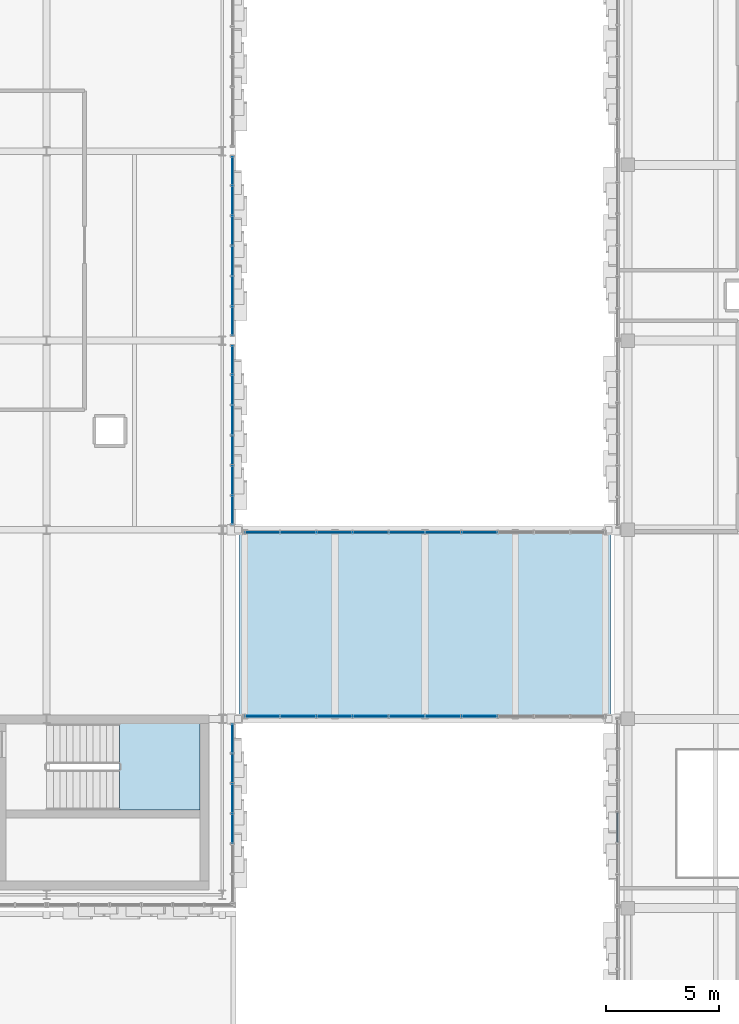
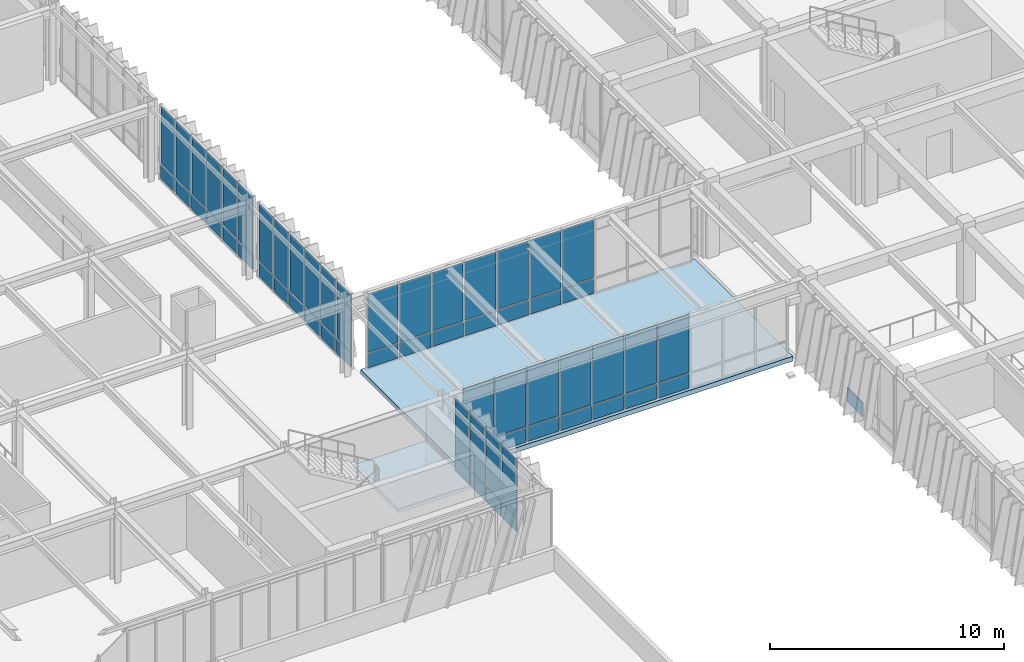
# One storey, part 90 of 127: 61 plates, 2 slabs, 7 elements without a shape of their own.
"""IFC4 building model written with IfcOpenShell, lengths in metres."""

import ifcopenshell
import ifcopenshell.guid

model = None  # the IFC model being written
_history = None  # IfcOwnerHistory: only IFC2X3 demands one
_inside = {}  # id of a spatial element -> (the spatial element, [elements in it])
_under = {}  # id of a project, library or spatial element -> (it, [spatial elements below it])
_declared = {}  # id of a project -> (the project, [libraries it declares])
_typed = {}  # id of a type object -> (the type object, [elements of that type])
_made_of = {}  # id of a material, layer set ... -> (it, [elements and type objects made of it])


def new_model(schema):
    """Start an empty IFC model of exactly this schema.

    Asked for "IFC4X3", IfcOpenShell would pick the latest addendum, in which some entities
    have other attributes; the version numbers below select the first issue.
    IFC2X3 requires an IfcOwnerHistory on every rooted entity: one is made here for all.
    """
    global model, _history
    if schema == "IFC4X3":
        model = ifcopenshell.file(schema_version=(4, 3, 0, 0))
    else:
        model = ifcopenshell.file(schema=schema)
    _inside.clear()
    _under.clear()
    _declared.clear()
    _typed.clear()
    _made_of.clear()
    _history = None
    if model.schema == "IFC2X3":
        org = make("IfcOrganization", Name="unknown")
        user = make(
            "IfcPersonAndOrganization",
            ThePerson=make("IfcPerson", FamilyName="unknown"),
            TheOrganization=org,
        )
        app = make(
            "IfcApplication",
            ApplicationDeveloper=org,
            Version="unknown",
            ApplicationFullName="unknown",
            ApplicationIdentifier="unknown",
        )
        _history = make(
            "IfcOwnerHistory",
            OwningUser=user,
            OwningApplication=app,
            ChangeAction="ADDED",
            CreationDate=0,
        )
    return model


def make(cls, **values):
    """One entity of the class cls with the attributes given. An attribute that is None is left unset."""
    return model.create_entity(
        cls, **{name: value for name, value in values.items() if value is not None}
    )


def rooted(cls, **values):
    """An entity with a GlobalId (a new one), such as an element, a storey or a relation."""
    return make(cls, GlobalId=ifcopenshell.guid.new(), OwnerHistory=_history, **values)


def si_unit(unit_type, name, prefix=None):
    """IfcSIUnit, for example si_unit("LENGTHUNIT", "METRE", prefix="MILLI")."""
    return make("IfcSIUnit", UnitType=unit_type, Prefix=prefix, Name=name)


def assignment(units):
    """IfcUnitAssignment: the units of a project."""
    return None if units is None else make("IfcUnitAssignment", Units=units)


def point(xyz):
    """IfcCartesianPoint."""
    return None if xyz is None else make("IfcCartesianPoint", Coordinates=xyz)


def direction(xyz):
    """IfcDirection."""
    return None if xyz is None else make("IfcDirection", DirectionRatios=xyz)


def frame(location, z_axis=None, x_axis=None):
    """IfcAxis2Placement3D, a coordinate frame: its origin and axes. An axis left out is left unset."""
    return make(
        "IfcAxis2Placement3D",
        Location=point(location),
        Axis=direction(z_axis),
        RefDirection=direction(x_axis),
    )


def frame_2d(location, x_axis=None):
    """IfcAxis2Placement2D, a coordinate frame in the plane: its origin and x axis."""
    return make(
        "IfcAxis2Placement2D", Location=point(location), RefDirection=direction(x_axis)
    )


def origin():
    """The frame at (0, 0, 0) with its axes left unset."""
    return frame((0.0, 0.0, 0.0))


def origin_2d():
    """The frame at (0, 0) in the plane with its x axis left unset."""
    return frame_2d((0.0, 0.0))


def place(relative_to, where):
    """IfcLocalPlacement: puts the frame where relative to a parent placement (None: the world)."""
    return make(
        "IfcLocalPlacement", PlacementRelTo=relative_to, RelativePlacement=where
    )


def context(
    kind, dimensions, precision=None, world=None, true_north=None, identifier=None
):
    """IfcGeometricRepresentationContext, for example the 3D "Model" context."""
    return make(
        "IfcGeometricRepresentationContext",
        ContextIdentifier=identifier,
        ContextType=kind,
        CoordinateSpaceDimension=dimensions,
        Precision=precision,
        WorldCoordinateSystem=world,
        TrueNorth=true_north,
    )


def subcontext(parent, identifier, kind, view, scale=None):
    """IfcGeometricRepresentationSubContext, for example "Body" below "Model"."""
    return make(
        "IfcGeometricRepresentationSubContext",
        ContextIdentifier=identifier,
        ContextType=kind,
        ParentContext=parent,
        TargetScale=scale,
        TargetView=view,
    )


def project(units=None, contexts=None):
    """IfcProject with its units and contexts."""
    return rooted(
        "IfcProject",
        Name="project",
        RepresentationContexts=contexts,
        UnitsInContext=assignment(units),
    )


def spatial(cls, under=None, at=None, **own):
    """A site, building, storey or space (cls), placed at a placement, below another one or the project."""
    s = rooted(cls, ObjectPlacement=at, **own)
    if under is not None:
        _under.setdefault(under.id(), (under, []))[1].append(s)
    return s


def polyline(points):
    """IfcPolyline through the points."""
    return make("IfcPolyline", Points=[point(p) for p in points])


def profile(cls, at=None, kind="AREA", **sizes):
    """A parametric profile (cls). Its sizes go by their IFC names, for example OverallWidth=200.0."""
    return make(cls, ProfileType=kind, Position=at, **sizes)


def rectangle(**sizes):
    """IfcRectangleProfileDef."""
    return profile("IfcRectangleProfileDef", **sizes)


def outline(outer, holes=None, kind="AREA"):
    """IfcArbitraryClosedProfileDef: a profile drawn as a closed curve; with holes, ...WithVoids."""
    if holes is None:
        return make("IfcArbitraryClosedProfileDef", ProfileType=kind, OuterCurve=outer)
    return make(
        "IfcArbitraryProfileDefWithVoids",
        ProfileType=kind,
        OuterCurve=outer,
        InnerCurves=holes,
    )


def extrude(swept, where, along, depth):
    """IfcExtrudedAreaSolid: the profile swept, set in the frame where, extruded along a direction by depth."""
    return make(
        "IfcExtrudedAreaSolid",
        SweptArea=swept,
        Position=where,
        ExtrudedDirection=direction(along),
        Depth=depth,
    )


def shape(context_of_items, identifier, shape_type, items):
    """IfcShapeRepresentation: the items that make up one representation, for example the "Body"."""
    return make(
        "IfcShapeRepresentation",
        ContextOfItems=context_of_items,
        RepresentationIdentifier=identifier,
        RepresentationType=shape_type,
        Items=items,
    )


def material(Name=None, Category=None):
    """IfcMaterial."""
    return make("IfcMaterial", Name=Name, Category=Category)


def layer(
    of_material, thickness, ventilated=None, Name=None, Category=None, Priority=None
):
    """IfcMaterialLayer: one layer of a wall or slab, of a material (None: an air gap)."""
    return make(
        "IfcMaterialLayer",
        Material=of_material,
        LayerThickness=thickness,
        IsVentilated=ventilated,
        Name=Name,
        Category=Category,
        Priority=Priority,
    )


def layer_set(layers, Name=None):
    """IfcMaterialLayerSet."""
    return make("IfcMaterialLayerSet", MaterialLayers=layers, LayerSetName=Name)


def made_of(thing, what):
    """Note that an element or type object is made of a material, layer set ...; save() writes the relation."""
    if what is not None:
        _made_of.setdefault(what.id(), (what, []))[1].append(thing)
    return thing


def type_object(cls, material=None, **own):
    """A type object (cls), such as IfcWallType, which elements share."""
    return made_of(rooted(cls, **own), material)


def element(
    cls,
    number,
    at=None,
    inside=None,
    cuts=None,
    type_object=None,
    material=None,
    context=None,
    identifier="Body",
    shape_type=None,
    held_by="IfcProductDefinitionShape",
    body=None,
    shapes=None,
    **own,
):
    """One element of the class cls, such as IfcWall. Its Tag is "e" and its number.

    at: its placement. inside: the storey or other place that contains it. cuts: it is an
    opening in that element (IfcRelVoidsElement). A single representation is given by context,
    identifier, shape_type and body (its items); several are given by shapes. held_by: the class
    of the entity that holds the representations. save() writes the other relations.
    """
    e = rooted(cls, Tag="e%d" % number, ObjectPlacement=at, **own)
    if body is not None:
        shapes = [shape(context, identifier, shape_type, body)]
    if shapes is not None:
        e.Representation = make(held_by, Representations=shapes)
    if inside is not None:
        _inside.setdefault(inside.id(), (inside, []))[1].append(e)
    if cuts is not None:
        rooted(
            "IfcRelVoidsElement", RelatingBuildingElement=cuts, RelatedOpeningElement=e
        )
    if type_object is not None:
        _typed.setdefault(type_object.id(), (type_object, []))[1].append(e)
    return made_of(e, material)


def aggregate(whole, parts):
    """IfcRelAggregates: a whole, such as a stair, and the parts it consists of."""
    return rooted("IfcRelAggregates", RelatingObject=whole, RelatedObjects=parts)


def save(model, path):
    """Write the relations noted so far, then the file.

    IfcRelAggregates (storeys below a building ...), IfcRelContainedInSpatialStructure (elements
    in a storey), IfcRelDefinesByType, IfcRelAssociatesMaterial and IfcRelDeclares: one each for
    every whole, place, type object, material and project.
    """
    for whole, parts in _under.values():
        aggregate(whole, parts)
    for where, things in _inside.values():
        rooted(
            "IfcRelContainedInSpatialStructure",
            RelatedElements=things,
            RelatingStructure=where,
        )
    for kind, things in _typed.values():
        rooted("IfcRelDefinesByType", RelatedObjects=things, RelatingType=kind)
    for what, things in _made_of.values():
        rooted("IfcRelAssociatesMaterial", RelatedObjects=things, RelatingMaterial=what)
    for by, libraries in _declared.values():
        rooted("IfcRelDeclares", RelatingContext=by, RelatedDefinitions=libraries)
    model.write(path)


model = new_model("IFC4")

# Units and contexts
model_context = context("Model", 3, precision=1e-05, world=origin(), true_north=direction((0.0, 1.0)))
body_context = subcontext(model_context, "Body", "Model", "MODEL_VIEW")
ifc_project = project(units=[si_unit("LENGTHUNIT", "METRE"), si_unit("AREAUNIT", "SQUARE_METRE"), si_unit("VOLUMEUNIT", "CUBIC_METRE"), si_unit("PLANEANGLEUNIT", "RADIAN"), si_unit("MASSUNIT", "GRAM", prefix="KILO")], contexts=[model_context])

# Site, building, storey
site_placement = place(None, origin())
site = spatial("IfcSite", under=ifc_project, at=site_placement, CompositionType="ELEMENT")
building_placement = place(site_placement, origin())
building = spatial("IfcBuilding", under=site, at=building_placement, Name="Zayran Congress Hotel", CompositionType="ELEMENT")
storey_placement = place(building_placement, frame((0.0, 0.0, 10.800048828125)))
storey = spatial("IfcBuildingStorey", under=building, at=storey_placement, Name="L02", CompositionType="ELEMENT", Elevation=10.800048828125)

# Slab
ifc_material_1 = material(Name="Concrete C40/50", Category="concrete")
ifc_layer_1 = layer(ifc_material_1, 0.25)
ifc_layer_set_1 = layer_set([ifc_layer_1], Name="Concrete C40/50")
slab_type_1 = type_object("IfcSlabType", Name="SL-BR-250", PredefinedType="FLOOR", material=ifc_layer_set_1)
slab_1_placement = place(storey_placement, frame((0.0, 0.0, -0.25)))
element("IfcSlab", 1, at=slab_1_placement, inside=storey, type_object=slab_type_1, Name="North Congress Skybridge Deck Slab L02", PredefinedType="FLOOR", context=body_context, shape_type="SweptSolid", body=[
    extrude(outline(polyline([(92.550048828125, 76.0), (109.050048828125, 76.0), (109.050048828125, 84.39990234375), (92.550048828125, 84.39990234375), (92.550048828125, 76.0)])), origin(), (0.0, 0.0, 1.0), 0.25),
])

# Curtain wall, plates
ifc_material_2 = material(Name="Anodised aluminium and low-E insulated glass", Category="aluminium")
ifc_layer_2 = layer(ifc_material_2, 0.179931640625)
ifc_layer_set_2 = layer_set([ifc_layer_2], Name="Anodised aluminium and low-E insulated glass")
curtain_wall_type_1 = type_object("IfcCurtainWallType", Name="CW-V1E-L02-CW-41-8040-3920", PredefinedType="USERDEFINED", material=ifc_layer_set_2)
curtain_wall_1_placement = place(storey_placement, origin())
curtain_wall_1 = element("IfcCurtainWall", 2, at=curtain_wall_1_placement, inside=storey, type_object=curtain_wall_type_1, Name="CW-V1E-L02-0", ObjectType="CURTAIN WALL", PredefinedType="USERDEFINED")
ifc_material_3 = material(Name="Insulated warm bronze aluminium spandrel panel", Category="aluminium")
ifc_layer_3 = layer(ifc_material_3, 0.06005859375)
ifc_layer_set_3 = layer_set([ifc_layer_3], Name="Insulated warm bronze aluminium spandrel panel")
plate_type_1 = type_object("IfcPlateType", Name="CWP-SP-1220-750", PredefinedType="CURTAIN_PANEL", material=ifc_layer_set_3)
plate_1_placement = place(storey_placement, frame((92.25, 71.1298828125, 0.06005859375), z_axis=(0.0, 0.0, 1.0), x_axis=(0.0, 1.0, 0.0)))
plate_1 = element("IfcPlate", 3, at=plate_1_placement, type_object=plate_type_1, Name="CW-41 Spandrel Panel 3", PredefinedType="CURTAIN_PANEL", context=body_context, shape_type="SweptSolid", body=[
    extrude(rectangle(XDim=1.260009765625, YDim=0.06005859375, at=origin_2d()), origin(), (0.0, 0.0, 1.0), 0.75),
])
plate_2_placement = place(storey_placement, frame((92.25, 72.469970703125, 0.06005859375), z_axis=(0.0, 0.0, 1.0), x_axis=(0.0, 1.0, 0.0)))
plate_2 = element("IfcPlate", 4, at=plate_2_placement, type_object=plate_type_1, Name="CW-41 Spandrel Panel 4", PredefinedType="CURTAIN_PANEL", context=body_context, shape_type="SweptSolid", body=[
    extrude(rectangle(XDim=1.260009765625, YDim=0.06005859375, at=origin_2d()), origin(), (0.0, 0.0, 1.0), 0.75),
])
plate_3_placement = place(storey_placement, frame((92.25, 73.81005859375, 0.06005859375), z_axis=(0.0, 0.0, 1.0), x_axis=(0.0, 1.0, 0.0)))
plate_3 = element("IfcPlate", 5, at=plate_3_placement, type_object=plate_type_1, Name="CW-41 Spandrel Panel 5", PredefinedType="CURTAIN_PANEL", context=body_context, shape_type="SweptSolid", body=[
    extrude(rectangle(XDim=1.260009765625, YDim=0.06005859375, at=origin_2d()), origin(), (0.0, 0.0, 1.0), 0.75),
])
plate_4_placement = place(storey_placement, frame((92.25, 75.1298828125, 0.06005859375), z_axis=(0.0, 0.0, 1.0), x_axis=(0.0, 1.0, 0.0)))
plate_4 = element("IfcPlate", 6, at=plate_4_placement, type_object=plate_type_1, Name="CW-41 Spandrel Panel 6", PredefinedType="CURTAIN_PANEL", context=body_context, shape_type="SweptSolid", body=[
    extrude(rectangle(XDim=1.219970703125, YDim=0.06005859375, at=origin_2d()), origin(), (0.0, 0.0, 1.0), 0.75),
])

curtain_wall_2_placement = place(storey_placement, origin())
curtain_wall_2 = element("IfcCurtainWall", 7, at=curtain_wall_2_placement, inside=storey, type_object=curtain_wall_type_1, Name="CW-V1E-L02-2", ObjectType="CURTAIN WALL", PredefinedType="USERDEFINED")
plate_5_placement = place(storey_placement, frame((92.25, 85.27001953125, 0.06005859375), z_axis=(0.0, 0.0, 1.0), x_axis=(0.0, 1.0, 0.0)))
plate_5 = element("IfcPlate", 8, at=plate_5_placement, type_object=plate_type_1, Name="CW-41 Spandrel Panel 1", PredefinedType="CURTAIN_PANEL", context=body_context, shape_type="SweptSolid", body=[
    extrude(rectangle(XDim=1.219970703125, YDim=0.06005859375, at=origin_2d()), origin(), (0.0, 0.0, 1.0), 0.75),
])
plate_6_placement = place(storey_placement, frame((92.25, 86.590087890625, 0.06005859375), z_axis=(0.0, 0.0, 1.0), x_axis=(0.0, 1.0, 0.0)))
plate_6 = element("IfcPlate", 9, at=plate_6_placement, type_object=plate_type_1, Name="CW-41 Spandrel Panel 2", PredefinedType="CURTAIN_PANEL", context=body_context, shape_type="SweptSolid", body=[
    extrude(rectangle(XDim=1.260009765625, YDim=0.06005859375, at=origin_2d()), origin(), (0.0, 0.0, 1.0), 0.75),
])
plate_7_placement = place(storey_placement, frame((92.25, 87.929931640625, 0.06005859375), z_axis=(0.0, 0.0, 1.0), x_axis=(0.0, 1.0, 0.0)))
plate_7 = element("IfcPlate", 10, at=plate_7_placement, type_object=plate_type_1, Name="CW-41 Spandrel Panel 3", PredefinedType="CURTAIN_PANEL", context=body_context, shape_type="SweptSolid", body=[
    extrude(rectangle(XDim=1.260009765625, YDim=0.06005859375, at=origin_2d()), origin(), (0.0, 0.0, 1.0), 0.75),
])
plate_8_placement = place(storey_placement, frame((92.25, 89.27001953125, 0.06005859375), z_axis=(0.0, 0.0, 1.0), x_axis=(0.0, 1.0, 0.0)))
plate_8 = element("IfcPlate", 11, at=plate_8_placement, type_object=plate_type_1, Name="CW-41 Spandrel Panel 4", PredefinedType="CURTAIN_PANEL", context=body_context, shape_type="SweptSolid", body=[
    extrude(rectangle(XDim=1.260009765625, YDim=0.06005859375, at=origin_2d()), origin(), (0.0, 0.0, 1.0), 0.75),
])
plate_9_placement = place(storey_placement, frame((92.25, 90.610107421875, 0.06005859375), z_axis=(0.0, 0.0, 1.0), x_axis=(0.0, 1.0, 0.0)))
plate_9 = element("IfcPlate", 12, at=plate_9_placement, type_object=plate_type_1, Name="CW-41 Spandrel Panel 5", PredefinedType="CURTAIN_PANEL", context=body_context, shape_type="SweptSolid", body=[
    extrude(rectangle(XDim=1.260009765625, YDim=0.06005859375, at=origin_2d()), origin(), (0.0, 0.0, 1.0), 0.75),
])
plate_10_placement = place(storey_placement, frame((92.25, 91.929931640625, 0.06005859375), z_axis=(0.0, 0.0, 1.0), x_axis=(0.0, 1.0, 0.0)))
plate_10 = element("IfcPlate", 13, at=plate_10_placement, type_object=plate_type_1, Name="CW-41 Spandrel Panel 6", PredefinedType="CURTAIN_PANEL", context=body_context, shape_type="SweptSolid", body=[
    extrude(rectangle(XDim=1.219970703125, YDim=0.06005859375, at=origin_2d()), origin(), (0.0, 0.0, 1.0), 0.75),
])

ifc_layer_4 = layer(ifc_material_2, 0.179931640625)
ifc_layer_set_4 = layer_set([ifc_layer_4], Name="Anodised aluminium and low-E insulated glass")
curtain_wall_type_2 = type_object("IfcCurtainWallType", Name="CW-V1E-L02-CW-42-8040-3920", PredefinedType="USERDEFINED", material=ifc_layer_set_4)
curtain_wall_3_placement = place(storey_placement, origin())
curtain_wall_3 = element("IfcCurtainWall", 14, at=curtain_wall_3_placement, inside=storey, type_object=curtain_wall_type_2, Name="CW-V1E-L02-3", ObjectType="CURTAIN WALL", PredefinedType="USERDEFINED")
plate_11_placement = place(storey_placement, frame((92.25, 93.669921875, 0.06005859375), z_axis=(0.0, 0.0, 1.0), x_axis=(0.0, 1.0, 0.0)))
plate_11 = element("IfcPlate", 15, at=plate_11_placement, type_object=plate_type_1, Name="CW-42 Spandrel Panel 1", PredefinedType="CURTAIN_PANEL", context=body_context, shape_type="SweptSolid", body=[
    extrude(rectangle(XDim=1.219970703125, YDim=0.06005859375, at=origin_2d()), origin(), (0.0, 0.0, 1.0), 0.75),
])
plate_12_placement = place(storey_placement, frame((92.25, 94.989990234375, 0.06005859375), z_axis=(0.0, 0.0, 1.0), x_axis=(0.0, 1.0, 0.0)))
plate_12 = element("IfcPlate", 16, at=plate_12_placement, type_object=plate_type_1, Name="CW-42 Spandrel Panel 2", PredefinedType="CURTAIN_PANEL", context=body_context, shape_type="SweptSolid", body=[
    extrude(rectangle(XDim=1.260009765625, YDim=0.06005859375, at=origin_2d()), origin(), (0.0, 0.0, 1.0), 0.75),
])
plate_13_placement = place(storey_placement, frame((92.25, 96.330078125, 0.06005859375), z_axis=(0.0, 0.0, 1.0), x_axis=(0.0, 1.0, 0.0)))
plate_13 = element("IfcPlate", 17, at=plate_13_placement, type_object=plate_type_1, Name="CW-42 Spandrel Panel 3", PredefinedType="CURTAIN_PANEL", context=body_context, shape_type="SweptSolid", body=[
    extrude(rectangle(XDim=1.260009765625, YDim=0.06005859375, at=origin_2d()), origin(), (0.0, 0.0, 1.0), 0.75),
])
plate_14_placement = place(storey_placement, frame((92.25, 97.669921875, 0.06005859375), z_axis=(0.0, 0.0, 1.0), x_axis=(0.0, 1.0, 0.0)))
plate_14 = element("IfcPlate", 18, at=plate_14_placement, type_object=plate_type_1, Name="CW-42 Spandrel Panel 4", PredefinedType="CURTAIN_PANEL", context=body_context, shape_type="SweptSolid", body=[
    extrude(rectangle(XDim=1.260009765625, YDim=0.06005859375, at=origin_2d()), origin(), (0.0, 0.0, 1.0), 0.75),
])
plate_15_placement = place(storey_placement, frame((92.25, 99.010009765625, 0.06005859375), z_axis=(0.0, 0.0, 1.0), x_axis=(0.0, 1.0, 0.0)))
plate_15 = element("IfcPlate", 19, at=plate_15_placement, type_object=plate_type_1, Name="CW-42 Spandrel Panel 5", PredefinedType="CURTAIN_PANEL", context=body_context, shape_type="SweptSolid", body=[
    extrude(rectangle(XDim=1.260009765625, YDim=0.06005859375, at=origin_2d()), origin(), (0.0, 0.0, 1.0), 0.75),
])
plate_16_placement = place(storey_placement, frame((92.25, 100.330078125, 0.06005859375), z_axis=(0.0, 0.0, 1.0), x_axis=(0.0, 1.0, 0.0)))
plate_16 = element("IfcPlate", 20, at=plate_16_placement, type_object=plate_type_1, Name="CW-42 Spandrel Panel 6", PredefinedType="CURTAIN_PANEL", context=body_context, shape_type="SweptSolid", body=[
    extrude(rectangle(XDim=1.219970703125, YDim=0.06005859375, at=origin_2d()), origin(), (0.0, 0.0, 1.0), 0.75),
])

# Plate
ifc_layer_5 = layer(ifc_material_2, 0.028076171875)
ifc_layer_set_5 = layer_set([ifc_layer_5], Name="Anodised aluminium and low-E insulated glass")
plate_type_2 = type_object("IfcPlateType", Name="CWP-GL-1220-2990", PredefinedType="CURTAIN_PANEL", material=ifc_layer_set_5)
plate_17_placement = place(storey_placement, frame((92.25, 71.1298828125, 0.8701171875), z_axis=(0.0, 0.0, 1.0), x_axis=(0.0, 1.0, 0.0)))
plate_17 = element("IfcPlate", 21, at=plate_17_placement, type_object=plate_type_2, Name="CW-41 Glazed Panel 3", PredefinedType="CURTAIN_PANEL", context=body_context, shape_type="SweptSolid", body=[
    extrude(rectangle(XDim=1.260009765625, YDim=0.028076171875, at=origin_2d()), origin(), (0.0, 0.0, 1.0), 2.989990234375),
])

plate_18_placement = place(storey_placement, frame((92.25, 72.469970703125, 0.8701171875), z_axis=(0.0, 0.0, 1.0), x_axis=(0.0, 1.0, 0.0)))
plate_18 = element("IfcPlate", 22, at=plate_18_placement, type_object=plate_type_2, Name="CW-41 Glazed Panel 4", PredefinedType="CURTAIN_PANEL", context=body_context, shape_type="SweptSolid", body=[
    extrude(rectangle(XDim=1.260009765625, YDim=0.028076171875, at=origin_2d()), origin(), (0.0, 0.0, 1.0), 2.989990234375),
])

plate_19_placement = place(storey_placement, frame((92.25, 73.81005859375, 0.8701171875), z_axis=(0.0, 0.0, 1.0), x_axis=(0.0, 1.0, 0.0)))
plate_19 = element("IfcPlate", 23, at=plate_19_placement, type_object=plate_type_2, Name="CW-41 Glazed Panel 5", PredefinedType="CURTAIN_PANEL", context=body_context, shape_type="SweptSolid", body=[
    extrude(rectangle(XDim=1.260009765625, YDim=0.028076171875, at=origin_2d()), origin(), (0.0, 0.0, 1.0), 2.989990234375),
])

plate_20_placement = place(storey_placement, frame((92.25, 75.1298828125, 0.8701171875), z_axis=(0.0, 0.0, 1.0), x_axis=(0.0, 1.0, 0.0)))
plate_20 = element("IfcPlate", 24, at=plate_20_placement, type_object=plate_type_2, Name="CW-41 Glazed Panel 6", PredefinedType="CURTAIN_PANEL", context=body_context, shape_type="SweptSolid", body=[
    extrude(rectangle(XDim=1.219970703125, YDim=0.028076171875, at=origin_2d()), origin(), (0.0, 0.0, 1.0), 2.989990234375),
])

aggregate(curtain_wall_1, [plate_1, plate_17, plate_2, plate_18, plate_3, plate_19, plate_4, plate_20])

plate_21_placement = place(storey_placement, frame((92.25, 85.27001953125, 0.8701171875), z_axis=(0.0, 0.0, 1.0), x_axis=(0.0, 1.0, 0.0)))
plate_21 = element("IfcPlate", 25, at=plate_21_placement, type_object=plate_type_2, Name="CW-41 Glazed Panel 1", PredefinedType="CURTAIN_PANEL", context=body_context, shape_type="SweptSolid", body=[
    extrude(rectangle(XDim=1.219970703125, YDim=0.028076171875, at=origin_2d()), origin(), (0.0, 0.0, 1.0), 2.989990234375),
])

plate_22_placement = place(storey_placement, frame((92.25, 86.590087890625, 0.8701171875), z_axis=(0.0, 0.0, 1.0), x_axis=(0.0, 1.0, 0.0)))
plate_22 = element("IfcPlate", 26, at=plate_22_placement, type_object=plate_type_2, Name="CW-41 Glazed Panel 2", PredefinedType="CURTAIN_PANEL", context=body_context, shape_type="SweptSolid", body=[
    extrude(rectangle(XDim=1.260009765625, YDim=0.028076171875, at=origin_2d()), origin(), (0.0, 0.0, 1.0), 2.989990234375),
])

plate_23_placement = place(storey_placement, frame((92.25, 87.929931640625, 0.8701171875), z_axis=(0.0, 0.0, 1.0), x_axis=(0.0, 1.0, 0.0)))
plate_23 = element("IfcPlate", 27, at=plate_23_placement, type_object=plate_type_2, Name="CW-41 Glazed Panel 3", PredefinedType="CURTAIN_PANEL", context=body_context, shape_type="SweptSolid", body=[
    extrude(rectangle(XDim=1.260009765625, YDim=0.028076171875, at=origin_2d()), origin(), (0.0, 0.0, 1.0), 2.989990234375),
])

plate_24_placement = place(storey_placement, frame((92.25, 89.27001953125, 0.8701171875), z_axis=(0.0, 0.0, 1.0), x_axis=(0.0, 1.0, 0.0)))
plate_24 = element("IfcPlate", 28, at=plate_24_placement, type_object=plate_type_2, Name="CW-41 Glazed Panel 4", PredefinedType="CURTAIN_PANEL", context=body_context, shape_type="SweptSolid", body=[
    extrude(rectangle(XDim=1.260009765625, YDim=0.028076171875, at=origin_2d()), origin(), (0.0, 0.0, 1.0), 2.989990234375),
])

plate_25_placement = place(storey_placement, frame((92.25, 90.610107421875, 0.8701171875), z_axis=(0.0, 0.0, 1.0), x_axis=(0.0, 1.0, 0.0)))
plate_25 = element("IfcPlate", 29, at=plate_25_placement, type_object=plate_type_2, Name="CW-41 Glazed Panel 5", PredefinedType="CURTAIN_PANEL", context=body_context, shape_type="SweptSolid", body=[
    extrude(rectangle(XDim=1.260009765625, YDim=0.028076171875, at=origin_2d()), origin(), (0.0, 0.0, 1.0), 2.989990234375),
])

plate_26_placement = place(storey_placement, frame((92.25, 91.929931640625, 0.8701171875), z_axis=(0.0, 0.0, 1.0), x_axis=(0.0, 1.0, 0.0)))
plate_26 = element("IfcPlate", 30, at=plate_26_placement, type_object=plate_type_2, Name="CW-41 Glazed Panel 6", PredefinedType="CURTAIN_PANEL", context=body_context, shape_type="SweptSolid", body=[
    extrude(rectangle(XDim=1.219970703125, YDim=0.028076171875, at=origin_2d()), origin(), (0.0, 0.0, 1.0), 2.989990234375),
])

aggregate(curtain_wall_2, [plate_5, plate_21, plate_6, plate_22, plate_7, plate_23, plate_8, plate_24, plate_9, plate_25, plate_10, plate_26])

plate_27_placement = place(storey_placement, frame((92.25, 93.669921875, 0.8701171875), z_axis=(0.0, 0.0, 1.0), x_axis=(0.0, 1.0, 0.0)))
plate_27 = element("IfcPlate", 31, at=plate_27_placement, type_object=plate_type_2, Name="CW-42 Glazed Panel 1", PredefinedType="CURTAIN_PANEL", context=body_context, shape_type="SweptSolid", body=[
    extrude(rectangle(XDim=1.219970703125, YDim=0.028076171875, at=origin_2d()), origin(), (0.0, 0.0, 1.0), 2.989990234375),
])

plate_28_placement = place(storey_placement, frame((92.25, 94.989990234375, 0.8701171875), z_axis=(0.0, 0.0, 1.0), x_axis=(0.0, 1.0, 0.0)))
plate_28 = element("IfcPlate", 32, at=plate_28_placement, type_object=plate_type_2, Name="CW-42 Glazed Panel 2", PredefinedType="CURTAIN_PANEL", context=body_context, shape_type="SweptSolid", body=[
    extrude(rectangle(XDim=1.260009765625, YDim=0.028076171875, at=origin_2d()), origin(), (0.0, 0.0, 1.0), 2.989990234375),
])

plate_29_placement = place(storey_placement, frame((92.25, 96.330078125, 0.8701171875), z_axis=(0.0, 0.0, 1.0), x_axis=(0.0, 1.0, 0.0)))
plate_29 = element("IfcPlate", 33, at=plate_29_placement, type_object=plate_type_2, Name="CW-42 Glazed Panel 3", PredefinedType="CURTAIN_PANEL", context=body_context, shape_type="SweptSolid", body=[
    extrude(rectangle(XDim=1.260009765625, YDim=0.028076171875, at=origin_2d()), origin(), (0.0, 0.0, 1.0), 2.989990234375),
])

plate_30_placement = place(storey_placement, frame((92.25, 97.669921875, 0.8701171875), z_axis=(0.0, 0.0, 1.0), x_axis=(0.0, 1.0, 0.0)))
plate_30 = element("IfcPlate", 34, at=plate_30_placement, type_object=plate_type_2, Name="CW-42 Glazed Panel 4", PredefinedType="CURTAIN_PANEL", context=body_context, shape_type="SweptSolid", body=[
    extrude(rectangle(XDim=1.260009765625, YDim=0.028076171875, at=origin_2d()), origin(), (0.0, 0.0, 1.0), 2.989990234375),
])

plate_31_placement = place(storey_placement, frame((92.25, 99.010009765625, 0.8701171875), z_axis=(0.0, 0.0, 1.0), x_axis=(0.0, 1.0, 0.0)))
plate_31 = element("IfcPlate", 35, at=plate_31_placement, type_object=plate_type_2, Name="CW-42 Glazed Panel 5", PredefinedType="CURTAIN_PANEL", context=body_context, shape_type="SweptSolid", body=[
    extrude(rectangle(XDim=1.260009765625, YDim=0.028076171875, at=origin_2d()), origin(), (0.0, 0.0, 1.0), 2.989990234375),
])

plate_32_placement = place(storey_placement, frame((92.25, 100.330078125, 0.8701171875), z_axis=(0.0, 0.0, 1.0), x_axis=(0.0, 1.0, 0.0)))
plate_32 = element("IfcPlate", 36, at=plate_32_placement, type_object=plate_type_2, Name="CW-42 Glazed Panel 6", PredefinedType="CURTAIN_PANEL", context=body_context, shape_type="SweptSolid", body=[
    extrude(rectangle(XDim=1.219970703125, YDim=0.028076171875, at=origin_2d()), origin(), (0.0, 0.0, 1.0), 2.989990234375),
])

aggregate(curtain_wall_3, [plate_11, plate_27, plate_12, plate_28, plate_13, plate_29, plate_14, plate_30, plate_15, plate_31, plate_16, plate_32])

# Curtain wall, plate
ifc_layer_6 = layer(ifc_material_2, 0.179931640625)
ifc_layer_set_6 = layer_set([ifc_layer_6], Name="Anodised aluminium and low-E insulated glass")
curtain_wall_type_3 = type_object("IfcCurtainWallType", Name="CW-V4W-L02-CW-51-8371-3920", PredefinedType="USERDEFINED", material=ifc_layer_set_6)
curtain_wall_4_placement = place(storey_placement, origin())
curtain_wall_4 = element("IfcCurtainWall", 37, at=curtain_wall_4_placement, inside=storey, type_object=curtain_wall_type_3, Name="CW-V4W-L02-3", ObjectType="CURTAIN WALL", PredefinedType="USERDEFINED")
ifc_layer_7 = layer(ifc_material_3, 0.06005859375)
ifc_layer_set_7 = layer_set([ifc_layer_7], Name="Insulated warm bronze aluminium spandrel panel")
plate_type_3 = type_object("IfcPlateType", Name="CWP-SP-1275-750", PredefinedType="CURTAIN_PANEL", material=ifc_layer_set_7)
plate_33_placement = place(storey_placement, frame((109.35009765625, 71.18701171875, 0.06005859375), z_axis=(0.0, 0.0, 1.0), x_axis=(0.0, 1.0, 0.0)))
plate_33 = element("IfcPlate", 38, at=plate_33_placement, type_object=plate_type_3, Name="CW-51 Spandrel Panel 4", PredefinedType="CURTAIN_PANEL", context=body_context, shape_type="SweptSolid", body=[
    extrude(rectangle(XDim=1.315185546875, YDim=0.06005859375, at=origin_2d()), origin(), (0.0, 0.0, 1.0), 0.75),
])
aggregate(curtain_wall_4, [plate_33])

# Curtain wall, plates
ifc_layer_8 = layer(ifc_material_2, 0.179931640625)
ifc_layer_set_8 = layer_set([ifc_layer_8], Name="Anodised aluminium and low-E insulated glass")
curtain_wall_type_4 = type_object("IfcCurtainWallType", Name="CW-BR1-L02-CW-BR1-16100-3960", PredefinedType="USERDEFINED", material=ifc_layer_set_8)
curtain_wall_5_placement = place(storey_placement, origin())
curtain_wall_5 = element("IfcCurtainWall", 39, at=curtain_wall_5_placement, inside=storey, type_object=curtain_wall_type_4, Name="CW-BR1S-L02", ObjectType="CURTAIN WALL", PredefinedType="USERDEFINED")
ifc_layer_9 = layer(ifc_material_3, 0.06005859375)
ifc_layer_set_9 = layer_set([ifc_layer_9], Name="Insulated warm bronze aluminium spandrel panel")
plate_type_4 = type_object("IfcPlateType", Name="CWP-SP-1490-750", PredefinedType="CURTAIN_PANEL", material=ifc_layer_set_9)
plate_34_placement = place(storey_placement, frame((93.574951171875, 76.1201171875, 0.06005859375), z_axis=(0.0, 0.0, 1.0), x_axis=(1.0, 0.0, 0.0)))
plate_34 = element("IfcPlate", 40, at=plate_34_placement, type_object=plate_type_4, Name="CW-BR1 Spandrel Panel 1", PredefinedType="CURTAIN_PANEL", context=body_context, shape_type="SweptSolid", body=[
    extrude(rectangle(XDim=1.489990234375, YDim=0.06005859375, at=origin_2d()), origin(), (0.0, 0.0, 1.0), 0.75),
])
plate_35_placement = place(storey_placement, frame((95.1650390625, 76.1201171875, 0.06005859375), z_axis=(0.0, 0.0, 1.0), x_axis=(1.0, 0.0, 0.0)))
plate_35 = element("IfcPlate", 41, at=plate_35_placement, type_object=plate_type_4, Name="CW-BR1 Spandrel Panel 2", PredefinedType="CURTAIN_PANEL", context=body_context, shape_type="SweptSolid", body=[
    extrude(rectangle(XDim=1.530029296875, YDim=0.06005859375, at=origin_2d()), origin(), (0.0, 0.0, 1.0), 0.75),
])
plate_36_placement = place(storey_placement, frame((96.77490234375, 76.1201171875, 0.06005859375), z_axis=(0.0, 0.0, 1.0), x_axis=(1.0, 0.0, 0.0)))
plate_36 = element("IfcPlate", 42, at=plate_36_placement, type_object=plate_type_4, Name="CW-BR1 Spandrel Panel 3", PredefinedType="CURTAIN_PANEL", context=body_context, shape_type="SweptSolid", body=[
    extrude(rectangle(XDim=1.530029296875, YDim=0.06005859375, at=origin_2d()), origin(), (0.0, 0.0, 1.0), 0.75),
])
plate_37_placement = place(storey_placement, frame((98.385009765625, 76.1201171875, 0.06005859375), z_axis=(0.0, 0.0, 1.0), x_axis=(1.0, 0.0, 0.0)))
plate_37 = element("IfcPlate", 43, at=plate_37_placement, type_object=plate_type_4, Name="CW-BR1 Spandrel Panel 4", PredefinedType="CURTAIN_PANEL", context=body_context, shape_type="SweptSolid", body=[
    extrude(rectangle(XDim=1.530029296875, YDim=0.06005859375, at=origin_2d()), origin(), (0.0, 0.0, 1.0), 0.75),
])
plate_38_placement = place(storey_placement, frame((99.9951171875, 76.1201171875, 0.06005859375), z_axis=(0.0, 0.0, 1.0), x_axis=(1.0, 0.0, 0.0)))
plate_38 = element("IfcPlate", 44, at=plate_38_placement, type_object=plate_type_4, Name="CW-BR1 Spandrel Panel 5", PredefinedType="CURTAIN_PANEL", context=body_context, shape_type="SweptSolid", body=[
    extrude(rectangle(XDim=1.530029296875, YDim=0.06005859375, at=origin_2d()), origin(), (0.0, 0.0, 1.0), 0.75),
])
plate_39_placement = place(storey_placement, frame((101.60498046875, 76.1201171875, 0.06005859375), z_axis=(0.0, 0.0, 1.0), x_axis=(1.0, 0.0, 0.0)))
plate_39 = element("IfcPlate", 45, at=plate_39_placement, type_object=plate_type_4, Name="CW-BR1 Spandrel Panel 6", PredefinedType="CURTAIN_PANEL", context=body_context, shape_type="SweptSolid", body=[
    extrude(rectangle(XDim=1.530029296875, YDim=0.06005859375, at=origin_2d()), origin(), (0.0, 0.0, 1.0), 0.75),
])
plate_40_placement = place(storey_placement, frame((103.215087890625, 76.1201171875, 0.06005859375), z_axis=(0.0, 0.0, 1.0), x_axis=(1.0, 0.0, 0.0)))
plate_40 = element("IfcPlate", 46, at=plate_40_placement, type_object=plate_type_4, Name="CW-BR1 Spandrel Panel 7", PredefinedType="CURTAIN_PANEL", context=body_context, shape_type="SweptSolid", body=[
    extrude(rectangle(XDim=1.530029296875, YDim=0.06005859375, at=origin_2d()), origin(), (0.0, 0.0, 1.0), 0.75),
])

curtain_wall_6_placement = place(storey_placement, origin())
curtain_wall_6 = element("IfcCurtainWall", 47, at=curtain_wall_6_placement, inside=storey, type_object=curtain_wall_type_4, Name="CW-BR1N-L02", ObjectType="CURTAIN WALL", PredefinedType="USERDEFINED")
plate_41_placement = place(storey_placement, frame((103.215087890625, 84.280029296875, 0.06005859375), z_axis=(0.0, 0.0, 1.0), x_axis=(1.0, 0.0, 0.0)))
plate_41 = element("IfcPlate", 48, at=plate_41_placement, type_object=plate_type_4, Name="CW-BR1 Spandrel Panel 4", PredefinedType="CURTAIN_PANEL", context=body_context, shape_type="SweptSolid", body=[
    extrude(rectangle(XDim=1.530029296875, YDim=0.06005859375, at=origin_2d()), origin(), (0.0, 0.0, 1.0), 0.75),
])
plate_42_placement = place(storey_placement, frame((101.60498046875, 84.280029296875, 0.06005859375), z_axis=(0.0, 0.0, 1.0), x_axis=(1.0, 0.0, 0.0)))
plate_42 = element("IfcPlate", 49, at=plate_42_placement, type_object=plate_type_4, Name="CW-BR1 Spandrel Panel 5", PredefinedType="CURTAIN_PANEL", context=body_context, shape_type="SweptSolid", body=[
    extrude(rectangle(XDim=1.530029296875, YDim=0.06005859375, at=origin_2d()), origin(), (0.0, 0.0, 1.0), 0.75),
])
plate_43_placement = place(storey_placement, frame((99.9951171875, 84.280029296875, 0.06005859375), z_axis=(0.0, 0.0, 1.0), x_axis=(1.0, 0.0, 0.0)))
plate_43 = element("IfcPlate", 50, at=plate_43_placement, type_object=plate_type_4, Name="CW-BR1 Spandrel Panel 6", PredefinedType="CURTAIN_PANEL", context=body_context, shape_type="SweptSolid", body=[
    extrude(rectangle(XDim=1.530029296875, YDim=0.06005859375, at=origin_2d()), origin(), (0.0, 0.0, 1.0), 0.75),
])
plate_44_placement = place(storey_placement, frame((98.385009765625, 84.280029296875, 0.06005859375), z_axis=(0.0, 0.0, 1.0), x_axis=(1.0, 0.0, 0.0)))
plate_44 = element("IfcPlate", 51, at=plate_44_placement, type_object=plate_type_4, Name="CW-BR1 Spandrel Panel 7", PredefinedType="CURTAIN_PANEL", context=body_context, shape_type="SweptSolid", body=[
    extrude(rectangle(XDim=1.530029296875, YDim=0.06005859375, at=origin_2d()), origin(), (0.0, 0.0, 1.0), 0.75),
])
plate_45_placement = place(storey_placement, frame((96.77490234375, 84.280029296875, 0.06005859375), z_axis=(0.0, 0.0, 1.0), x_axis=(1.0, 0.0, 0.0)))
plate_45 = element("IfcPlate", 52, at=plate_45_placement, type_object=plate_type_4, Name="CW-BR1 Spandrel Panel 8", PredefinedType="CURTAIN_PANEL", context=body_context, shape_type="SweptSolid", body=[
    extrude(rectangle(XDim=1.530029296875, YDim=0.06005859375, at=origin_2d()), origin(), (0.0, 0.0, 1.0), 0.75),
])
plate_46_placement = place(storey_placement, frame((95.1650390625, 84.280029296875, 0.06005859375), z_axis=(0.0, 0.0, 1.0), x_axis=(1.0, 0.0, 0.0)))
plate_46 = element("IfcPlate", 53, at=plate_46_placement, type_object=plate_type_4, Name="CW-BR1 Spandrel Panel 9", PredefinedType="CURTAIN_PANEL", context=body_context, shape_type="SweptSolid", body=[
    extrude(rectangle(XDim=1.530029296875, YDim=0.06005859375, at=origin_2d()), origin(), (0.0, 0.0, 1.0), 0.75),
])
plate_47_placement = place(storey_placement, frame((93.574951171875, 84.280029296875, 0.06005859375), z_axis=(0.0, 0.0, 1.0), x_axis=(1.0, 0.0, 0.0)))
plate_47 = element("IfcPlate", 54, at=plate_47_placement, type_object=plate_type_4, Name="CW-BR1 Spandrel Panel 10", PredefinedType="CURTAIN_PANEL", context=body_context, shape_type="SweptSolid", body=[
    extrude(rectangle(XDim=1.489990234375, YDim=0.06005859375, at=origin_2d()), origin(), (0.0, 0.0, 1.0), 0.75),
])

# Plate
ifc_layer_10 = layer(ifc_material_2, 0.028076171875)
ifc_layer_set_10 = layer_set([ifc_layer_10], Name="Anodised aluminium and low-E insulated glass")
plate_type_5 = type_object("IfcPlateType", Name="CWP-GL-1490-3030", PredefinedType="CURTAIN_PANEL", material=ifc_layer_set_10)
plate_48_placement = place(storey_placement, frame((93.574951171875, 76.1201171875, 0.8701171875), z_axis=(0.0, 0.0, 1.0), x_axis=(1.0, 0.0, 0.0)))
plate_48 = element("IfcPlate", 55, at=plate_48_placement, type_object=plate_type_5, Name="CW-BR1 Glazed Panel 1", PredefinedType="CURTAIN_PANEL", context=body_context, shape_type="SweptSolid", body=[
    extrude(rectangle(XDim=1.489990234375, YDim=0.028076171875, at=origin_2d()), origin(), (0.0, 0.0, 1.0), 3.030029296875),
])

plate_49_placement = place(storey_placement, frame((95.1650390625, 76.1201171875, 0.8701171875), z_axis=(0.0, 0.0, 1.0), x_axis=(1.0, 0.0, 0.0)))
plate_49 = element("IfcPlate", 56, at=plate_49_placement, type_object=plate_type_5, Name="CW-BR1 Glazed Panel 2", PredefinedType="CURTAIN_PANEL", context=body_context, shape_type="SweptSolid", body=[
    extrude(rectangle(XDim=1.530029296875, YDim=0.028076171875, at=origin_2d()), origin(), (0.0, 0.0, 1.0), 3.030029296875),
])

plate_50_placement = place(storey_placement, frame((96.77490234375, 76.1201171875, 0.8701171875), z_axis=(0.0, 0.0, 1.0), x_axis=(1.0, 0.0, 0.0)))
plate_50 = element("IfcPlate", 57, at=plate_50_placement, type_object=plate_type_5, Name="CW-BR1 Glazed Panel 3", PredefinedType="CURTAIN_PANEL", context=body_context, shape_type="SweptSolid", body=[
    extrude(rectangle(XDim=1.530029296875, YDim=0.028076171875, at=origin_2d()), origin(), (0.0, 0.0, 1.0), 3.030029296875),
])

plate_51_placement = place(storey_placement, frame((98.385009765625, 76.1201171875, 0.8701171875), z_axis=(0.0, 0.0, 1.0), x_axis=(1.0, 0.0, 0.0)))
plate_51 = element("IfcPlate", 58, at=plate_51_placement, type_object=plate_type_5, Name="CW-BR1 Glazed Panel 4", PredefinedType="CURTAIN_PANEL", context=body_context, shape_type="SweptSolid", body=[
    extrude(rectangle(XDim=1.530029296875, YDim=0.028076171875, at=origin_2d()), origin(), (0.0, 0.0, 1.0), 3.030029296875),
])

plate_52_placement = place(storey_placement, frame((99.9951171875, 76.1201171875, 0.8701171875), z_axis=(0.0, 0.0, 1.0), x_axis=(1.0, 0.0, 0.0)))
plate_52 = element("IfcPlate", 59, at=plate_52_placement, type_object=plate_type_5, Name="CW-BR1 Glazed Panel 5", PredefinedType="CURTAIN_PANEL", context=body_context, shape_type="SweptSolid", body=[
    extrude(rectangle(XDim=1.530029296875, YDim=0.028076171875, at=origin_2d()), origin(), (0.0, 0.0, 1.0), 3.030029296875),
])

plate_53_placement = place(storey_placement, frame((101.60498046875, 76.1201171875, 0.8701171875), z_axis=(0.0, 0.0, 1.0), x_axis=(1.0, 0.0, 0.0)))
plate_53 = element("IfcPlate", 60, at=plate_53_placement, type_object=plate_type_5, Name="CW-BR1 Glazed Panel 6", PredefinedType="CURTAIN_PANEL", context=body_context, shape_type="SweptSolid", body=[
    extrude(rectangle(XDim=1.530029296875, YDim=0.028076171875, at=origin_2d()), origin(), (0.0, 0.0, 1.0), 3.030029296875),
])

plate_54_placement = place(storey_placement, frame((103.215087890625, 76.1201171875, 0.8701171875), z_axis=(0.0, 0.0, 1.0), x_axis=(1.0, 0.0, 0.0)))
plate_54 = element("IfcPlate", 61, at=plate_54_placement, type_object=plate_type_5, Name="CW-BR1 Glazed Panel 7", PredefinedType="CURTAIN_PANEL", context=body_context, shape_type="SweptSolid", body=[
    extrude(rectangle(XDim=1.530029296875, YDim=0.028076171875, at=origin_2d()), origin(), (0.0, 0.0, 1.0), 3.030029296875),
])

aggregate(curtain_wall_5, [plate_34, plate_48, plate_35, plate_49, plate_36, plate_50, plate_37, plate_51, plate_38, plate_52, plate_39, plate_53, plate_40, plate_54])

plate_55_placement = place(storey_placement, frame((103.215087890625, 84.280029296875, 0.8701171875), z_axis=(0.0, 0.0, 1.0), x_axis=(1.0, 0.0, 0.0)))
plate_55 = element("IfcPlate", 62, at=plate_55_placement, type_object=plate_type_5, Name="CW-BR1 Glazed Panel 4", PredefinedType="CURTAIN_PANEL", context=body_context, shape_type="SweptSolid", body=[
    extrude(rectangle(XDim=1.530029296875, YDim=0.028076171875, at=origin_2d()), origin(), (0.0, 0.0, 1.0), 3.030029296875),
])

plate_56_placement = place(storey_placement, frame((101.60498046875, 84.280029296875, 0.8701171875), z_axis=(0.0, 0.0, 1.0), x_axis=(1.0, 0.0, 0.0)))
plate_56 = element("IfcPlate", 63, at=plate_56_placement, type_object=plate_type_5, Name="CW-BR1 Glazed Panel 5", PredefinedType="CURTAIN_PANEL", context=body_context, shape_type="SweptSolid", body=[
    extrude(rectangle(XDim=1.530029296875, YDim=0.028076171875, at=origin_2d()), origin(), (0.0, 0.0, 1.0), 3.030029296875),
])

plate_57_placement = place(storey_placement, frame((99.9951171875, 84.280029296875, 0.8701171875), z_axis=(0.0, 0.0, 1.0), x_axis=(1.0, 0.0, 0.0)))
plate_57 = element("IfcPlate", 64, at=plate_57_placement, type_object=plate_type_5, Name="CW-BR1 Glazed Panel 6", PredefinedType="CURTAIN_PANEL", context=body_context, shape_type="SweptSolid", body=[
    extrude(rectangle(XDim=1.530029296875, YDim=0.028076171875, at=origin_2d()), origin(), (0.0, 0.0, 1.0), 3.030029296875),
])

plate_58_placement = place(storey_placement, frame((98.385009765625, 84.280029296875, 0.8701171875), z_axis=(0.0, 0.0, 1.0), x_axis=(1.0, 0.0, 0.0)))
plate_58 = element("IfcPlate", 65, at=plate_58_placement, type_object=plate_type_5, Name="CW-BR1 Glazed Panel 7", PredefinedType="CURTAIN_PANEL", context=body_context, shape_type="SweptSolid", body=[
    extrude(rectangle(XDim=1.530029296875, YDim=0.028076171875, at=origin_2d()), origin(), (0.0, 0.0, 1.0), 3.030029296875),
])

plate_59_placement = place(storey_placement, frame((96.77490234375, 84.280029296875, 0.8701171875), z_axis=(0.0, 0.0, 1.0), x_axis=(1.0, 0.0, 0.0)))
plate_59 = element("IfcPlate", 66, at=plate_59_placement, type_object=plate_type_5, Name="CW-BR1 Glazed Panel 8", PredefinedType="CURTAIN_PANEL", context=body_context, shape_type="SweptSolid", body=[
    extrude(rectangle(XDim=1.530029296875, YDim=0.028076171875, at=origin_2d()), origin(), (0.0, 0.0, 1.0), 3.030029296875),
])

plate_60_placement = place(storey_placement, frame((95.1650390625, 84.280029296875, 0.8701171875), z_axis=(0.0, 0.0, 1.0), x_axis=(1.0, 0.0, 0.0)))
plate_60 = element("IfcPlate", 67, at=plate_60_placement, type_object=plate_type_5, Name="CW-BR1 Glazed Panel 9", PredefinedType="CURTAIN_PANEL", context=body_context, shape_type="SweptSolid", body=[
    extrude(rectangle(XDim=1.530029296875, YDim=0.028076171875, at=origin_2d()), origin(), (0.0, 0.0, 1.0), 3.030029296875),
])

plate_61_placement = place(storey_placement, frame((93.574951171875, 84.280029296875, 0.8701171875), z_axis=(0.0, 0.0, 1.0), x_axis=(1.0, 0.0, 0.0)))
plate_61 = element("IfcPlate", 68, at=plate_61_placement, type_object=plate_type_5, Name="CW-BR1 Glazed Panel 10", PredefinedType="CURTAIN_PANEL", context=body_context, shape_type="SweptSolid", body=[
    extrude(rectangle(XDim=1.489990234375, YDim=0.028076171875, at=origin_2d()), origin(), (0.0, 0.0, 1.0), 3.030029296875),
])

aggregate(curtain_wall_6, [plate_41, plate_55, plate_42, plate_56, plate_43, plate_57, plate_44, plate_58, plate_45, plate_59, plate_46, plate_60, plate_47, plate_61])

# Stair, slab
ifc_material_4 = material(Name="Concrete C32/40", Category="concrete")
stair_type = type_object("IfcStairType", Name="TP-STR-1800-42", PredefinedType="USERDEFINED", material=ifc_material_4)
stair_placement = place(storey_placement, origin())
stair = element("IfcStair", 69, at=stair_placement, inside=storey, type_object=stair_type, Name="L02 ST-06", ObjectType="TWO_RETURN_STAIR", PredefinedType="USERDEFINED")
ifc_layer_11 = layer(ifc_material_4, 0.199951171875)
ifc_layer_set_11 = layer_set([ifc_layer_11], Name="Concrete C32/40")
slab_type_2 = type_object("IfcSlabType", Name="TP-LND-1800", PredefinedType="LANDING", material=ifc_layer_set_11)
slab_2_placement = place(storey_placement, frame((0.0, 0.0, 1.89990234375)))
slab_2 = element("IfcSlab", 70, at=slab_2_placement, type_object=slab_type_2, Name="ST-06 landing 1", PredefinedType="LANDING", context=body_context, shape_type="SweptSolid", body=[
    extrude(outline(polyline([(87.2451171875, 71.9599609375), (90.800048828125, 71.9599609375), (90.800048828125, 75.800048828125), (87.2451171875, 75.800048828125), (87.2451171875, 71.9599609375)])), origin(), (0.0, 0.0, 1.0), 0.199951171875),
])
aggregate(stair, [slab_2])

save(model, "model.ifc")
